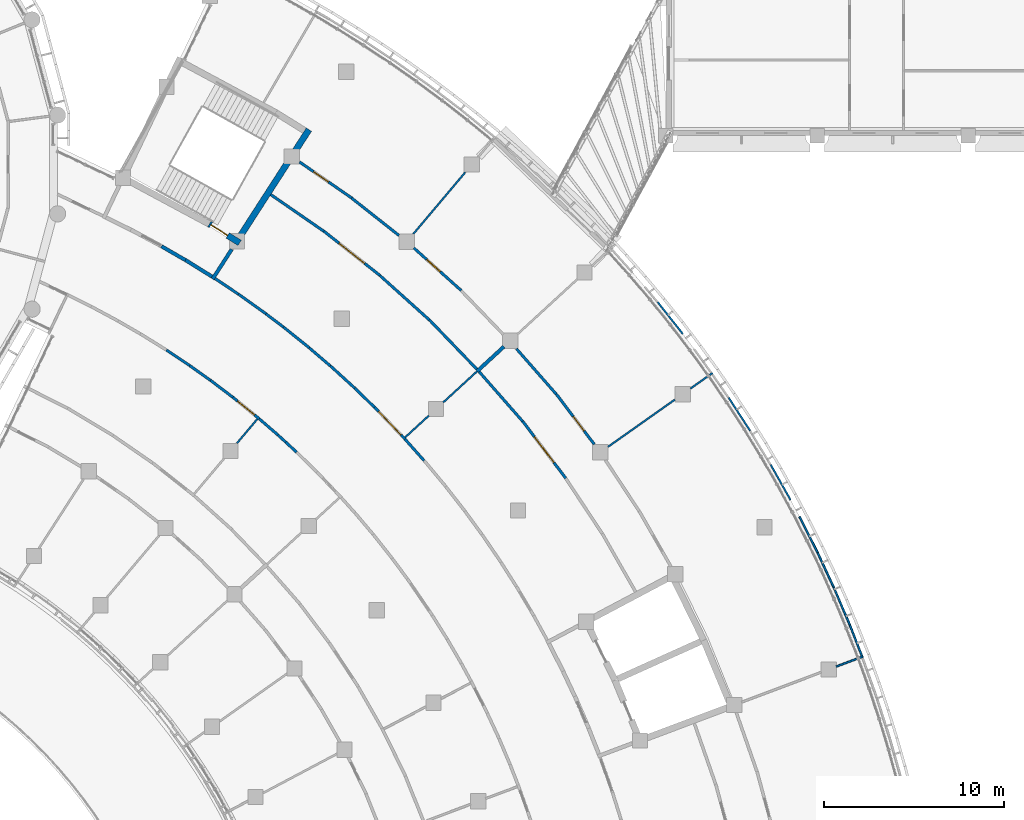
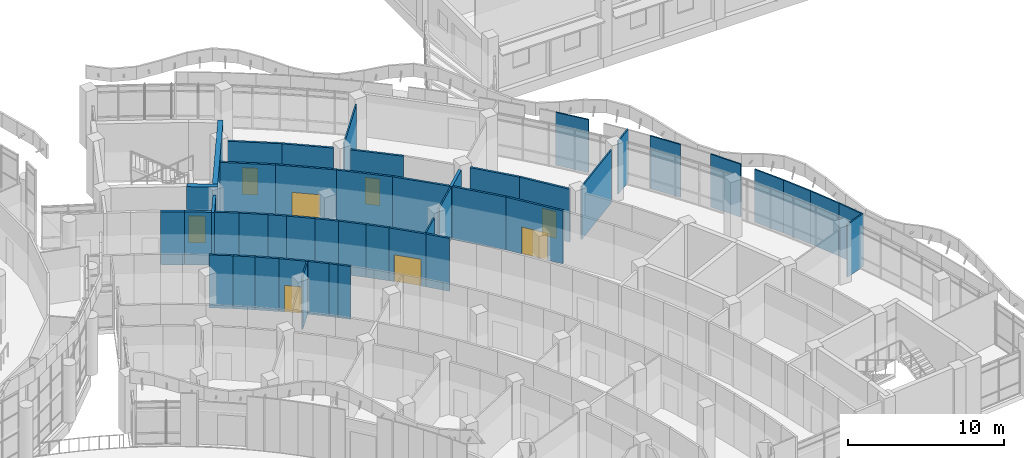
# One storey, part 79 of 136: 47 walls, 8 doors, 8 openings.
"""IFC4 building model written with IfcOpenShell, lengths in metres."""

from ifc_helpers import new_model, si_unit, direction, frame, frame_2d, origin, place, context, subcontext, project, spatial, rectangle, extrude, material, layer, layer_set, type_object, element, fill, save


model = new_model("IFC4")

# Units and contexts
model_context = context("Model", 3, precision=1e-05, world=origin(), true_north=direction((0.0, 1.0)))
body_context = subcontext(model_context, "Body", "Model", "MODEL_VIEW")
ifc_project = project(units=[si_unit("LENGTHUNIT", "METRE"), si_unit("AREAUNIT", "SQUARE_METRE"), si_unit("VOLUMEUNIT", "CUBIC_METRE"), si_unit("PLANEANGLEUNIT", "RADIAN"), si_unit("MASSUNIT", "GRAM", prefix="KILO")], contexts=[model_context])

# Site, building, storey
site_placement = place(None, origin())
site = spatial("IfcSite", under=ifc_project, at=site_placement, CompositionType="ELEMENT")
building_placement = place(site_placement, origin())
building = spatial("IfcBuilding", under=site, at=building_placement, Name="Bougainvillea Quay General Hospital", CompositionType="ELEMENT")
storey_placement = place(building_placement, frame((0.0, 0.0, 5.39990234375)))
storey = spatial("IfcBuildingStorey", under=building, at=storey_placement, Name="L01", CompositionType="ELEMENT", Elevation=5.39990234375)

# Walls
ifc_material_1 = material(Name="Gypsum board partition on steel studs", Category="steel")
ifc_layer_1 = layer(ifc_material_1, 0.10009765625)
ifc_layer_set_1 = layer_set([ifc_layer_1], Name="Gypsum board partition on steel studs")
wall_type_1 = type_object("IfcWallType", Name="Partition 100 Gypsum board partition", PredefinedType="PARTITIONING", material=ifc_layer_set_1)
wall_1_placement = place(storey_placement, frame((149.322998046875, 58.848388671875, 0.0), z_axis=(0.0, 0.0, 1.0), x_axis=(0.736546569723, 0.676386835051, 0.0)))
element("IfcWall", 1, at=wall_1_placement, inside=storey, type_object=wall_type_1, Name="Partition 100 mm", PredefinedType="PARTITIONING", context=body_context, shape_type="SweptSolid", body=[
    extrude(rectangle(XDim=1.78564453125, YDim=0.10009765625, at=frame_2d((0.892822265625, 0.0))), origin(), (0.0, 0.0, 1.0), 4.150146484375),
])
wall_2_placement = place(storey_placement, frame((151.4306640625, 60.783935546875, 0.0), z_axis=(0.0, 0.0, 1.0), x_axis=(0.736546419356, 0.676386998791, 0.0)))
element("IfcWall", 2, at=wall_2_placement, inside=storey, type_object=wall_type_1, Name="Partition 100 mm", PredefinedType="PARTITIONING", context=body_context, shape_type="SweptSolid", body=[
    extrude(rectangle(XDim=2.552734375, YDim=0.10009765625, at=frame_2d((1.2763671875, 0.0))), origin(), (0.0, 0.0, 1.0), 4.150146484375),
])
ifc_layer_2 = layer(ifc_material_1, 0.10009765625)
ifc_layer_set_2 = layer_set([ifc_layer_2], Name="Gypsum board partition on steel studs")
wall_type_2 = type_object("IfcWallType", Name="Partition 100 Gypsum board partition EI 30", PredefinedType="PARTITIONING", material=ifc_layer_set_2)
wall_3_placement = place(storey_placement, frame((173.25732421875, 46.113525390625, 0.0), z_axis=(0.0, 0.0, 1.0), x_axis=(0.93586999438, 0.35234550319, 0.0)))
element("IfcWall", 3, at=wall_3_placement, inside=storey, type_object=wall_type_2, Name="Partition 100 mm EI 30", PredefinedType="PARTITIONING", context=body_context, shape_type="SweptSolid", body=[
    extrude(rectangle(XDim=1.597900390625, YDim=0.10009765625, at=frame_2d((0.798828125, 0.0))), origin(), (0.0, 0.0, 1.0), 4.150146484375),
])
wall_4_placement = place(storey_placement, frame((149.775390625, 70.144287109375, 0.0), z_axis=(0.0, 0.0, 1.0), x_axis=(0.644456563642, 0.764640920681, 0.0)))
element("IfcWall", 4, at=wall_4_placement, inside=storey, type_object=wall_type_2, Name="Partition 100 mm EI 30", PredefinedType="PARTITIONING", context=body_context, shape_type="SweptSolid", body=[
    extrude(rectangle(XDim=4.47509765625, YDim=0.10009765625, at=frame_2d((2.237548828125, 0.0))), origin(), (0.0, 0.0, 1.0), 4.150146484375),
])
wall_5_placement = place(storey_placement, frame((160.585205078125, 58.318603515625, 0.0), z_axis=(0.0, 0.0, 1.0), x_axis=(0.816630246187, 0.577161191534, 0.0)))
element("IfcWall", 5, at=wall_5_placement, inside=storey, type_object=wall_type_2, Name="Partition 100 mm EI 30", PredefinedType="PARTITIONING", context=body_context, shape_type="SweptSolid", body=[
    extrude(rectangle(XDim=4.551025390625, YDim=0.10009765625, at=frame_2d((2.275390625, 0.0))), origin(), (0.0, 0.0, 1.0), 4.150146484375),
])
wall_6_placement = place(storey_placement, frame((165.158203125, 61.550537109375, 0.0), z_axis=(0.0, 0.0, 1.0), x_axis=(0.816659911288, 0.577119215842, 0.0)))
element("IfcWall", 6, at=wall_6_placement, inside=storey, type_object=wall_type_2, Name="Partition 100 mm EI 30", PredefinedType="PARTITIONING", context=body_context, shape_type="SweptSolid", body=[
    extrude(rectangle(XDim=1.5166015625, YDim=0.10009765625, at=frame_2d((0.75830078125, 0.0))), origin(), (0.0, 0.0, 1.0), 4.150146484375),
])
wall_7_placement = place(storey_placement, frame((139.98046875, 58.522216796875, 0.0), z_axis=(0.0, 0.0, 1.0), x_axis=(0.644495278204, 0.7646082895, 0.0)))
element("IfcWall", 7, at=wall_7_placement, inside=storey, type_object=wall_type_2, Name="Partition 100 mm EI 30", PredefinedType="PARTITIONING", context=body_context, shape_type="SweptSolid", body=[
    extrude(rectangle(XDim=1.756103515625, YDim=0.10009765625, at=frame_2d((0.8779296875, 0.0))), origin(), (0.0, 0.0, 1.0), 4.150146484375),
])
wall_8_placement = place(storey_placement, frame((169.62353515625, 57.32958984375, 0.0), z_axis=(0.0, 0.0, 1.0), x_axis=(0.490245804698, -0.871584219095, 0.0)))
element("IfcWall", 8, at=wall_8_placement, inside=storey, type_object=wall_type_2, Name="Partition 100 mm EI 30", PredefinedType="PARTITIONING", context=body_context, shape_type="SweptSolid", body=[
    extrude(rectangle(XDim=2.2529296875, YDim=0.10009765625, at=frame_2d((1.12646484375, 0.0))), origin(), (0.0, 0.0, 1.0), 4.150146484375),
])
wall_9_placement = place(storey_placement, frame((167.28271484375, 61.058837890625, 0.0), z_axis=(0.0, 0.0, 1.0), x_axis=(0.544248024884, -0.838924363342, 0.0)))
element("IfcWall", 9, at=wall_9_placement, inside=storey, type_object=wall_type_2, Name="Partition 100 mm EI 30", PredefinedType="PARTITIONING", context=body_context, shape_type="SweptSolid", body=[
    extrude(rectangle(XDim=2.202880859375, YDim=0.10009765625, at=frame_2d((1.1015625, 0.0))), origin(), (0.0, 0.0, 1.0), 4.150146484375),
])
wall_10_placement = place(storey_placement, frame((171.220947265625, 54.444091796875, 0.0), z_axis=(0.0, 0.0, 1.0), x_axis=(0.449727785834, -0.893165672565, 0.0)))
element("IfcWall", 10, at=wall_10_placement, inside=storey, type_object=wall_type_2, Name="Partition 100 mm EI 30", PredefinedType="PARTITIONING", context=body_context, shape_type="SweptSolid", body=[
    extrude(rectangle(XDim=2.251220703125, YDim=0.10009765625, at=frame_2d((1.12548828125, 0.0))), origin(), (0.0, 0.0, 1.0), 4.150146484375),
])
wall_11_placement = place(storey_placement, frame((163.344970703125, 66.357177734375, 0.0), z_axis=(0.0, 0.0, 1.0), x_axis=(0.621064038845, -0.783759822684, 0.0)))
element("IfcWall", 11, at=wall_11_placement, inside=storey, type_object=wall_type_2, Name="Partition 100 mm EI 30", PredefinedType="PARTITIONING", context=body_context, shape_type="SweptSolid", body=[
    extrude(rectangle(XDim=2.2509765625, YDim=0.10009765625, at=frame_2d((1.12548828125, 0.0))), origin(), (0.0, 0.0, 1.0), 4.150146484375),
])
wall_12_placement = place(storey_placement, frame((173.118408203125, 50.529052734375, 0.0), z_axis=(0.0, 0.0, 1.0), x_axis=(0.392535641105, -0.919736794122, 0.0)))
element("IfcWall", 12, at=wall_12_placement, inside=storey, type_object=wall_type_2, Name="Partition 100 mm EI 30", PredefinedType="PARTITIONING", context=body_context, shape_type="SweptSolid", body=[
    extrude(rectangle(XDim=2.300537109375, YDim=0.10009765625, at=frame_2d((1.150390625, 0.0))), origin(), (0.0, 0.0, 1.0), 4.150146484375),
])
wall_13_placement = place(storey_placement, frame((172.2314453125, 52.43408203125, 0.0), z_axis=(0.0, 0.0, 1.0), x_axis=(0.42144215668, -0.906855285353, 0.0)))
element("IfcWall", 13, at=wall_13_placement, inside=storey, type_object=wall_type_2, Name="Partition 100 mm EI 30", PredefinedType="PARTITIONING", context=body_context, shape_type="SweptSolid", body=[
    extrude(rectangle(XDim=2.102783203125, YDim=0.10009765625, at=frame_2d((1.05126953125, 0.0))), origin(), (0.0, 0.0, 1.0), 4.150146484375),
])
wall_14_placement = place(storey_placement, frame((174.019775390625, 48.413818359375, 0.0), z_axis=(0.0, 0.0, 1.0), x_axis=(0.364148326517, -0.931340966722, 0.0)))
element("IfcWall", 14, at=wall_14_placement, inside=storey, type_object=wall_type_2, Name="Partition 100 mm EI 30", PredefinedType="PARTITIONING", context=body_context, shape_type="SweptSolid", body=[
    extrude(rectangle(XDim=1.833740234375, YDim=0.10009765625, at=frame_2d((0.9169921875, 0.0))), origin(), (0.0, 0.0, 1.0), 4.150146484375),
])

# Wall, opening, door
ifc_material_2 = material(Name="Gypsum board partition on steel studs, insulated", Category="steel")
ifc_layer_3 = layer(ifc_material_2, 0.14990234375)
ifc_layer_set_3 = layer_set([ifc_layer_3], Name="Gypsum board partition on steel studs, insulated")
wall_type_3 = type_object("IfcWallType", Name="Partition 150 Gypsum board partition EI 30", PredefinedType="PARTITIONING", material=ifc_layer_set_3)
wall_15_placement = place(storey_placement, frame((149.79736328125, 69.36865234375, 0.0), z_axis=(0.0, 0.0, 1.0), x_axis=(0.743767308426, -0.668438621652, 0.0)))
wall_15 = element("IfcWall", 15, at=wall_15_placement, inside=storey, type_object=wall_type_3, Name="Partition 150 mm EI 30", PredefinedType="PARTITIONING", context=body_context, shape_type="SweptSolid", body=[
    extrude(rectangle(XDim=3.5390625, YDim=0.14990234375, at=frame_2d((1.76953125, 0.0))), origin(), (0.0, 0.0, 1.0), 4.150146484375),
])
opening_1_placement = place(wall_15_placement, frame((0.973876953125, 0.0, 0.0)))
opening_1 = element("IfcOpeningElement", 16, at=opening_1_placement, cuts=wall_15, Name="Opening L01.270", PredefinedType="OPENING", context=body_context, shape_type="SweptSolid", body=[
    extrude(rectangle(XDim=1.0, YDim=2.10009765625, at=frame_2d((0.5, 1.050048828125))), frame((0.0, 0.0849609375, 0.0), z_axis=(0.0, -1.0, 0.0), x_axis=(1.0, 0.0, 0.0)), (0.0, 0.0, 1.0), 0.169921875),
])
ifc_material_3 = material(Name="Solid-core timber door leaf in steel frame", Category="steel")
door_type_1 = type_object("IfcDoorType", Name="Single leaf door 1000x2100 FD30S", OperationType="NOTDEFINED", PredefinedType="DOOR", material=ifc_material_3)
door_1_placement = place(opening_1_placement, origin())
door_1 = element("IfcDoor", 17, at=door_1_placement, inside=storey, type_object=door_type_1, Name="DT15 L01.270", OperationType="SINGLE_SWING_LEFT", OverallHeight=2.10009765625, OverallWidth=1.0, PredefinedType="DOOR", context=body_context, shape_type="SweptSolid", body=[
    extrude(rectangle(XDim=1.0, YDim=2.10009765625, at=frame_2d((0.5, 1.050048828125))), frame((0.0, 0.02490234375, 0.0), z_axis=(0.0, -1.0, 0.0), x_axis=(1.0, 0.0, 0.0)), (0.0, 0.0, 1.0), 0.050048828125),
])
fill(opening_1, door_1)

wall_16_placement = place(storey_placement, frame((157.7119140625, 61.251708984375, 0.0), z_axis=(0.0, 0.0, 1.0), x_axis=(0.602876520925, -0.797834506974, 0.0)))
wall_16 = element("IfcWall", 18, at=wall_16_placement, inside=storey, type_object=wall_type_3, Name="Partition 150 mm EI 30", PredefinedType="PARTITIONING", context=body_context, shape_type="SweptSolid", body=[
    extrude(rectangle(XDim=3.498779296875, YDim=0.14990234375, at=frame_2d((1.74951171875, 0.0))), origin(), (0.0, 0.0, 1.0), 4.150146484375),
])
opening_2_placement = place(wall_16_placement, frame((1.5654296875, 0.0, 0.0)))
opening_2 = element("IfcOpeningElement", 19, at=opening_2_placement, cuts=wall_16, Name="Opening L01.271", PredefinedType="OPENING", context=body_context, shape_type="SweptSolid", body=[
    extrude(rectangle(XDim=1.0, YDim=2.10009765625, at=frame_2d((0.5, 1.050048828125))), frame((0.0, 0.0849609375, 0.0), z_axis=(0.0, -1.0, 0.0), x_axis=(1.0, 0.0, 0.0)), (0.0, 0.0, 1.0), 0.169921875),
])
door_2_placement = place(opening_2_placement, origin())
door_2 = element("IfcDoor", 20, at=door_2_placement, inside=storey, type_object=door_type_1, Name="DT15 L01.271", OperationType="SINGLE_SWING_RIGHT", OverallHeight=2.10009765625, OverallWidth=1.0, PredefinedType="DOOR", context=body_context, shape_type="SweptSolid", body=[
    extrude(rectangle(XDim=1.0, YDim=2.10009765625, at=frame_2d((0.5, 1.050048828125))), frame((0.0, 0.02490234375, 0.0), z_axis=(0.0, -1.0, 0.0), x_axis=(1.0, 0.0, 0.0)), (0.0, 0.0, 1.0), 0.050048828125),
])
fill(opening_2, door_2)

wall_17_placement = place(storey_placement, frame((143.455810546875, 74.138671875, 0.0), z_axis=(0.0, 0.0, 1.0), x_axis=(0.822701427784, -0.568473711549, 0.0)))
wall_17 = element("IfcWall", 21, at=wall_17_placement, inside=storey, type_object=wall_type_3, Name="Partition 150 mm EI 30", PredefinedType="PARTITIONING", context=body_context, shape_type="SweptSolid", body=[
    extrude(rectangle(XDim=3.5185546875, YDim=0.14990234375, at=frame_2d((1.75927734375, 0.0))), origin(), (0.0, 0.0, 1.0), 4.150146484375),
])
opening_3_placement = place(wall_17_placement, frame((0.953369140625, 0.0, 0.0)))
opening_3 = element("IfcOpeningElement", 22, at=opening_3_placement, cuts=wall_17, Name="Opening L01.269", PredefinedType="OPENING", context=body_context, shape_type="SweptSolid", body=[
    extrude(rectangle(XDim=1.0, YDim=2.10009765625, at=frame_2d((0.5, 1.050048828125))), frame((0.0, 0.0849609375, 0.0), z_axis=(0.0, -1.0, 0.0), x_axis=(1.0, 0.0, 0.0)), (0.0, 0.0, 1.0), 0.169921875),
])
door_3_placement = place(opening_3_placement, origin())
door_3 = element("IfcDoor", 23, at=door_3_placement, inside=storey, type_object=door_type_1, Name="DT15 L01.269", OperationType="SINGLE_SWING_LEFT", OverallHeight=2.10009765625, OverallWidth=1.0, PredefinedType="DOOR", context=body_context, shape_type="SweptSolid", body=[
    extrude(rectangle(XDim=1.0, YDim=2.10009765625, at=frame_2d((0.5, 1.050048828125))), frame((0.0, 0.02490234375, 0.0), z_axis=(0.0, -1.0, 0.0), x_axis=(1.0, 0.0, 0.0)), (0.0, 0.0, 1.0), 0.050048828125),
])
fill(opening_3, door_3)

# Walls
wall_18_placement = place(storey_placement, frame((146.34423828125, 72.13720703125, 0.0), z_axis=(0.0, 0.0, 1.0), x_axis=(0.784832511111, -0.619707938874, 0.0)))
element("IfcWall", 24, at=wall_18_placement, inside=storey, type_object=wall_type_3, Name="Partition 150 mm EI 30", PredefinedType="PARTITIONING", context=body_context, shape_type="SweptSolid", body=[
    extrude(rectangle(XDim=3.357666015625, YDim=0.14990234375, at=frame_2d((1.6787109375, 0.0))), origin(), (0.0, 0.0, 1.0), 4.150146484375),
])
wall_19_placement = place(storey_placement, frame((155.503662109375, 63.76220703125, 0.0), z_axis=(0.0, 0.0, 1.0), x_axis=(0.659211514152, -0.751957565032, 0.0)))
element("IfcWall", 25, at=wall_19_placement, inside=storey, type_object=wall_type_3, Name="Partition 150 mm EI 30", PredefinedType="PARTITIONING", context=body_context, shape_type="SweptSolid", body=[
    extrude(rectangle(XDim=3.348388671875, YDim=0.14990234375, at=frame_2d((1.67431640625, 0.0))), origin(), (0.0, 0.0, 1.0), 4.150146484375),
])

# Wall, opening, door
wall_20_placement = place(storey_placement, frame((144.802978515625, 70.297607421875, 0.0), z_axis=(0.0, 0.0, 1.0), x_axis=(0.784917321289, -0.619600515445, 0.0)))
wall_20 = element("IfcWall", 26, at=wall_20_placement, inside=storey, type_object=wall_type_3, Name="Partition 150 mm EI 30", PredefinedType="PARTITIONING", context=body_context, shape_type="SweptSolid", body=[
    extrude(rectangle(XDim=3.978515625, YDim=0.14990234375, at=frame_2d((1.9892578125, 0.0))), origin(), (0.0, 0.0, 1.0), 4.150146484375),
])
opening_4_placement = place(wall_20_placement, frame((1.089111328125, 0.0, 0.0)))
opening_4 = element("IfcOpeningElement", 27, at=opening_4_placement, cuts=wall_20, Name="Opening L01.229", PredefinedType="OPENING", context=body_context, shape_type="SweptSolid", body=[
    extrude(rectangle(XDim=1.800048828125, YDim=2.10009765625, at=frame_2d((0.89990234375, 1.050048828125))), frame((0.0, 0.0849609375, 0.0), z_axis=(0.0, -1.0, 0.0), x_axis=(1.0, 0.0, 0.0)), (0.0, 0.0, 1.0), 0.169921875),
])
ifc_material_4 = material(Name="Solid-core timber door leaves in steel frame", Category="steel")
door_type_2 = type_object("IfcDoorType", Name="Double leaf door 1800x2100", OperationType="DOUBLE_DOOR_SINGLE_SWING", PredefinedType="DOOR", material=ifc_material_4)
door_4_placement = place(opening_4_placement, origin())
door_4 = element("IfcDoor", 28, at=door_4_placement, inside=storey, type_object=door_type_2, Name="DT08 L01.229", OperationType="DOUBLE_DOOR_SINGLE_SWING", OverallHeight=2.10009765625, OverallWidth=1.800048828125, PredefinedType="DOOR", context=body_context, shape_type="SweptSolid", body=[
    extrude(rectangle(XDim=1.800048828125, YDim=2.10009765625, at=frame_2d((0.89990234375, 1.050048828125))), frame((0.0, 0.02490234375, 0.0), z_axis=(0.0, -1.0, 0.0), x_axis=(1.0, 0.0, 0.0)), (0.0, 0.0, 1.0), 0.050048828125),
])
fill(opening_4, door_4)

wall_21_placement = place(storey_placement, frame((155.84375, 59.743896484375, 0.0), z_axis=(0.0, 0.0, 1.0), x_axis=(0.602932061418, -0.797792535258, 0.0)))
wall_21 = element("IfcWall", 29, at=wall_21_placement, inside=storey, type_object=wall_type_3, Name="Partition 150 mm EI 30", PredefinedType="PARTITIONING", context=body_context, shape_type="SweptSolid", body=[
    extrude(rectangle(XDim=3.97802734375, YDim=0.14990234375, at=frame_2d((1.989013671875, 0.0))), origin(), (0.0, 0.0, 1.0), 4.150146484375),
])
opening_5_placement = place(wall_21_placement, frame((1.089111328125, 0.0, 0.0)))
opening_5 = element("IfcOpeningElement", 30, at=opening_5_placement, cuts=wall_21, Name="Opening L01.230", PredefinedType="OPENING", context=body_context, shape_type="SweptSolid", body=[
    extrude(rectangle(XDim=1.800048828125, YDim=2.10009765625, at=frame_2d((0.89990234375, 1.050048828125))), frame((0.0, 0.0849609375, 0.0), z_axis=(0.0, -1.0, 0.0), x_axis=(1.0, 0.0, 0.0)), (0.0, 0.0, 1.0), 0.169921875),
])
door_5_placement = place(opening_5_placement, origin())
door_5 = element("IfcDoor", 31, at=door_5_placement, inside=storey, type_object=door_type_2, Name="DT08 L01.230", OperationType="DOUBLE_DOOR_SINGLE_SWING", OverallHeight=2.10009765625, OverallWidth=1.800048828125, PredefinedType="DOOR", context=body_context, shape_type="SweptSolid", body=[
    extrude(rectangle(XDim=1.800048828125, YDim=2.10009765625, at=frame_2d((0.89990234375, 1.050048828125))), frame((0.0, 0.02490234375, 0.0), z_axis=(0.0, -1.0, 0.0), x_axis=(1.0, 0.0, 0.0)), (0.0, 0.0, 1.0), 0.050048828125),
])
fill(opening_5, door_5)

# Walls
wall_22_placement = place(storey_placement, frame((141.85888671875, 72.326171875, 0.0), z_axis=(0.0, 0.0, 1.0), x_axis=(0.822680463987, -0.568504049391, 0.0)))
element("IfcWall", 32, at=wall_22_placement, inside=storey, type_object=wall_type_3, Name="Partition 150 mm EI 30", PredefinedType="PARTITIONING", context=body_context, shape_type="SweptSolid", body=[
    extrude(rectangle(XDim=3.579833984375, YDim=0.14990234375, at=frame_2d((1.7900390625, 0.0))), origin(), (0.0, 0.0, 1.0), 4.150146484375),
])
wall_23_placement = place(storey_placement, frame((150.660888671875, 65.3740234375, 0.0), z_axis=(0.0, 0.0, 1.0), x_axis=(0.693403633232, -0.720549374728, 0.0)))
element("IfcWall", 33, at=wall_23_placement, inside=storey, type_object=wall_type_3, Name="Partition 150 mm EI 30", PredefinedType="PARTITIONING", context=body_context, shape_type="SweptSolid", body=[
    extrude(rectangle(XDim=3.804443359375, YDim=0.14990234375, at=frame_2d((1.90234375, 0.0))), origin(), (0.0, 0.0, 1.0), 4.150146484375),
])
wall_24_placement = place(storey_placement, frame((147.91943359375, 67.831787109375, 0.0), z_axis=(0.0, 0.0, 1.0), x_axis=(0.743593711798, -0.668631731056, 0.0)))
element("IfcWall", 34, at=wall_24_placement, inside=storey, type_object=wall_type_3, Name="Partition 150 mm EI 30", PredefinedType="PARTITIONING", context=body_context, shape_type="SweptSolid", body=[
    extrude(rectangle(XDim=3.686767578125, YDim=0.14990234375, at=frame_2d((1.84326171875, 0.0))), origin(), (0.0, 0.0, 1.0), 4.150146484375),
])
wall_25_placement = place(storey_placement, frame((153.431884765625, 62.488037109375, 0.0), z_axis=(0.0, 0.0, 1.0), x_axis=(0.659061919253, -0.752088682663, 0.0)))
element("IfcWall", 35, at=wall_25_placement, inside=storey, type_object=wall_type_3, Name="Partition 150 mm EI 30", PredefinedType="PARTITIONING", context=body_context, shape_type="SweptSolid", body=[
    extrude(rectangle(XDim=3.658447265625, YDim=0.14990234375, at=frame_2d((1.8291015625, 0.0))), origin(), (0.0, 0.0, 1.0), 4.150146484375),
])

# Wall, opening, door
wall_26_placement = place(storey_placement, frame((147.614990234375, 60.521240234375, 0.0), z_axis=(0.0, 0.0, 1.0), x_axis=(0.691827849504, -0.722062481127, 0.0)))
wall_26 = element("IfcWall", 36, at=wall_26_placement, inside=storey, type_object=wall_type_3, Name="Partition 150 mm EI 30", PredefinedType="PARTITIONING", context=body_context, shape_type="SweptSolid", body=[
    extrude(rectangle(XDim=2.462890625, YDim=0.14990234375, at=frame_2d((1.2314453125, 0.0))), origin(), (0.0, 0.0, 1.0), 4.150146484375),
])
opening_6_placement = place(wall_26_placement, frame((0.331298828125, 0.0, 0.0)))
opening_6 = element("IfcOpeningElement", 37, at=opening_6_placement, cuts=wall_26, Name="Opening L01.243", PredefinedType="OPENING", context=body_context, shape_type="SweptSolid", body=[
    extrude(rectangle(XDim=1.800048828125, YDim=2.10009765625, at=frame_2d((0.89990234375, 1.050048828125))), frame((0.0, 0.0849609375, 0.0), z_axis=(0.0, -1.0, 0.0), x_axis=(1.0, 0.0, 0.0)), (0.0, 0.0, 1.0), 0.169921875),
])
door_6_placement = place(opening_6_placement, frame((1.800048828125, 0.0, 0.0), z_axis=(0.0, 0.0, 1.0), x_axis=(-1.0, 0.0, 0.0)))
door_6 = element("IfcDoor", 38, at=door_6_placement, inside=storey, type_object=door_type_2, Name="DT08 L01.243", OperationType="DOUBLE_DOOR_SINGLE_SWING", OverallHeight=2.10009765625, OverallWidth=1.800048828125, PredefinedType="DOOR", context=body_context, shape_type="SweptSolid", body=[
    extrude(rectangle(XDim=1.800048828125, YDim=2.10009765625, at=frame_2d((0.89990234375, 1.050048828125))), frame((0.0, 0.02490234375, 0.0), z_axis=(0.0, -1.0, 0.0), x_axis=(1.0, 0.0, 0.0)), (0.0, 0.0, 1.0), 0.050048828125),
])
fill(opening_6, door_6)

wall_27_placement = place(storey_placement, frame((139.75, 61.074462890625, 0.0), z_axis=(0.0, 0.0, 1.0), x_axis=(0.774713973469, -0.63231183708, 0.0)))
wall_27 = element("IfcWall", 39, at=wall_27_placement, inside=storey, type_object=wall_type_3, Name="Partition 150 mm EI 30", PredefinedType="PARTITIONING", context=body_context, shape_type="SweptSolid", body=[
    extrude(rectangle(XDim=1.896240234375, YDim=0.14990234375, at=frame_2d((0.9482421875, 0.0))), origin(), (0.0, 0.0, 1.0), 4.150146484375),
])
opening_7_placement = place(wall_27_placement, frame((0.34814453125, 0.0, 0.0)))
opening_7 = element("IfcOpeningElement", 40, at=opening_7_placement, cuts=wall_27, Name="Opening L01.246", PredefinedType="OPENING", context=body_context, shape_type="SweptSolid", body=[
    extrude(rectangle(XDim=1.199951171875, YDim=2.10009765625, at=frame_2d((0.60009765625, 1.050048828125))), frame((0.0, 0.0849609375, 0.0), z_axis=(0.0, -1.0, 0.0), x_axis=(1.0, 0.0, 0.0)), (0.0, 0.0, 1.0), 0.169921875),
])
door_type_3 = type_object("IfcDoorType", Name="Single leaf door 1200x2100", OperationType="NOTDEFINED", PredefinedType="DOOR", material=ifc_material_3)
door_7_placement = place(opening_7_placement, origin())
door_7 = element("IfcDoor", 41, at=door_7_placement, inside=storey, type_object=door_type_3, Name="DT13 L01.246", OperationType="SINGLE_SWING_RIGHT", OverallHeight=2.10009765625, OverallWidth=1.199951171875, PredefinedType="DOOR", context=body_context, shape_type="SweptSolid", body=[
    extrude(rectangle(XDim=1.199951171875, YDim=2.10009765625, at=frame_2d((0.60009765625, 1.050048828125))), frame((0.0, 0.02490234375, 0.0), z_axis=(0.0, -1.0, 0.0), x_axis=(1.0, 0.0, 0.0)), (0.0, 0.0, 1.0), 0.050048828125),
])
fill(opening_7, door_7)

# Walls
wall_28_placement = place(storey_placement, frame((140.06103515625, 66.800537109375, 0.0), z_axis=(0.0, 0.0, 1.0), x_axis=(0.81360220793, -0.581421918448, 0.0)))
element("IfcWall", 42, at=wall_28_placement, inside=storey, type_object=wall_type_3, Name="Partition 150 mm EI 30", PredefinedType="PARTITIONING", context=body_context, shape_type="SweptSolid", body=[
    extrude(rectangle(XDim=1.88525390625, YDim=0.14990234375, at=frame_2d((0.942626953125, 0.0))), origin(), (0.0, 0.0, 1.0), 4.150146484375),
])
wall_29_placement = place(storey_placement, frame((149.31494140625, 58.742919921875, 0.0), z_axis=(0.0, 0.0, 1.0), x_axis=(0.664440066627, -0.747341553683, 0.0)))
element("IfcWall", 43, at=wall_29_placement, inside=storey, type_object=wall_type_3, Name="Partition 150 mm EI 30", PredefinedType="PARTITIONING", context=body_context, shape_type="SweptSolid", body=[
    extrude(rectangle(XDim=1.59033203125, YDim=0.14990234375, at=frame_2d((0.795166015625, 0.0))), origin(), (0.0, 0.0, 1.0), 4.150146484375),
])
wall_30_placement = place(storey_placement, frame((138.76416015625, 67.6640625, 0.0), z_axis=(0.0, 0.0, 1.0), x_axis=(0.831520299658, -0.555494366539, 0.0)))
element("IfcWall", 44, at=wall_30_placement, inside=storey, type_object=wall_type_3, Name="Partition 150 mm EI 30", PredefinedType="PARTITIONING", context=body_context, shape_type="SweptSolid", body=[
    extrude(rectangle(XDim=1.560302734375, YDim=0.14990234375, at=frame_2d((0.7802734375, 0.0))), origin(), (0.0, 0.0, 1.0), 4.150146484375),
])
for number, where, z_axis, x_axis, name in (
    (45, (142.565673828125, 64.968017578125, 0.0), (0.0, 0.0, 1.0), (0.779281308286, -0.626674271496, 0.0), "Partition 150 mm EI 30"),
    (46, (145.15869140625, 62.822509765625, 0.0), (0.0, 0.0, 1.0), (0.738981194843, -0.67372605239, 0.0), "Partition 150 mm EI 30"),
):
    element("IfcWall", number, at=place(storey_placement, frame(where, z_axis=z_axis, x_axis=x_axis)), inside=storey, type_object=wall_type_3, Name=name, PredefinedType="PARTITIONING", context=body_context, shape_type="SweptSolid", body=[
        extrude(rectangle(XDim=1.833251953125, YDim=0.14990234375, at=frame_2d((0.91650390625, 0.0))), origin(), (0.0, 0.0, 1.0), 4.150146484375),
    ])
wall_31_placement = place(storey_placement, frame((146.51025390625, 61.58740234375, 0.0), z_axis=(0.0, 0.0, 1.0), x_axis=(0.718287322607, -0.695746593367, 0.0)))
element("IfcWall", 47, at=wall_31_placement, inside=storey, type_object=wall_type_3, Name="Partition 150 mm EI 30", PredefinedType="PARTITIONING", context=body_context, shape_type="SweptSolid", body=[
    extrude(rectangle(XDim=1.5380859375, YDim=0.14990234375, at=frame_2d((0.76904296875, 0.0))), origin(), (0.0, 0.0, 1.0), 4.150146484375),
])
wall_32_placement = place(storey_placement, frame((143.9912109375, 63.818603515625, 0.0), z_axis=(0.0, 0.0, 1.0), x_axis=(0.75971620126, -0.65025479125, 0.0)))
element("IfcWall", 48, at=wall_32_placement, inside=storey, type_object=wall_type_3, Name="Partition 150 mm EI 30", PredefinedType="PARTITIONING", context=body_context, shape_type="SweptSolid", body=[
    extrude(rectangle(XDim=1.53662109375, YDim=0.14990234375, at=frame_2d((0.768310546875, 0.0))), origin(), (0.0, 0.0, 1.0), 4.150146484375),
])
wall_33_placement = place(storey_placement, frame((138.50634765625, 62.015380859375, 0.0), z_axis=(0.0, 0.0, 1.0), x_axis=(0.7964030968, -0.604766159278, 0.0)))
element("IfcWall", 49, at=wall_33_placement, inside=storey, type_object=wall_type_3, Name="Partition 150 mm EI 30", PredefinedType="PARTITIONING", context=body_context, shape_type="SweptSolid", body=[
    extrude(rectangle(XDim=1.56201171875, YDim=0.14990234375, at=frame_2d((0.781005859375, 0.0))), origin(), (0.0, 0.0, 1.0), 4.150146484375),
])
wall_34_placement = place(storey_placement, frame((136.05859375, 63.69580078125, 0.0), z_axis=(0.0, 0.0, 1.0), x_axis=(0.832723443957, -0.553689141925, 0.0)))
element("IfcWall", 50, at=wall_34_placement, inside=storey, type_object=wall_type_3, Name="Partition 150 mm EI 30", PredefinedType="PARTITIONING", context=body_context, shape_type="SweptSolid", body=[
    extrude(rectangle(XDim=1.560791015625, YDim=0.14990234375, at=frame_2d((0.7802734375, 0.0))), origin(), (0.0, 0.0, 1.0), 4.150146484375),
])
wall_35_placement = place(storey_placement, frame((137.355224609375, 62.830810546875, 0.0), z_axis=(0.0, 0.0, 1.0), x_axis=(0.815004293048, -0.579454918276, 0.0)))
element("IfcWall", 51, at=wall_35_placement, inside=storey, type_object=wall_type_3, Name="Partition 150 mm EI 30", PredefinedType="PARTITIONING", context=body_context, shape_type="SweptSolid", body=[
    extrude(rectangle(XDim=1.41259765625, YDim=0.14990234375, at=frame_2d((0.706298828125, 0.0))), origin(), (0.0, 0.0, 1.0), 4.150146484375),
])
wall_36_placement = place(storey_placement, frame((141.21630859375, 59.875244140625, 0.0), z_axis=(0.0, 0.0, 1.0), x_axis=(0.7566031668, -0.653874336542, 0.0)))
element("IfcWall", 52, at=wall_36_placement, inside=storey, type_object=wall_type_3, Name="Partition 150 mm EI 30", PredefinedType="PARTITIONING", context=body_context, shape_type="SweptSolid", body=[
    extrude(rectangle(XDim=1.37353515625, YDim=0.14990234375, at=frame_2d((0.686767578125, 0.0))), origin(), (0.0, 0.0, 1.0), 4.150146484375),
])
wall_37_placement = place(storey_placement, frame((141.592041015625, 65.703857421875, 0.0), z_axis=(0.0, 0.0, 1.0), x_axis=(0.79670453549, -0.604368995837, 0.0)))
element("IfcWall", 53, at=wall_37_placement, inside=storey, type_object=wall_type_3, Name="Partition 150 mm EI 30", PredefinedType="PARTITIONING", context=body_context, shape_type="SweptSolid", body=[
    extrude(rectangle(XDim=1.222412109375, YDim=0.14990234375, at=frame_2d((0.611328125, 0.0))), origin(), (0.0, 0.0, 1.0), 4.150146484375),
])
wall_38_placement = place(storey_placement, frame((142.68603515625, 58.5830078125, 0.0), z_axis=(0.0, 0.0, 1.0), x_axis=(0.732730451649, -0.680518982268, 0.0)))
element("IfcWall", 54, at=wall_38_placement, inside=storey, type_object=wall_type_3, Name="Partition 150 mm EI 30", PredefinedType="PARTITIONING", context=body_context, shape_type="SweptSolid", body=[
    extrude(rectangle(XDim=0.82763671875, YDim=0.14990234375, at=frame_2d((0.413818359375, 0.0))), origin(), (0.0, 0.0, 1.0), 4.150146484375),
])
wall_39_placement = place(storey_placement, frame((142.2529296875, 58.976806640625, 0.0), z_axis=(0.0, 0.0, 1.0), x_axis=(0.739127036188, -0.673566050492, 0.0)))
element("IfcWall", 55, at=wall_39_placement, inside=storey, type_object=wall_type_3, Name="Partition 150 mm EI 30", PredefinedType="PARTITIONING", context=body_context, shape_type="SweptSolid", body=[
    extrude(rectangle(XDim=0.584716796875, YDim=0.14990234375, at=frame_2d((0.29248046875, 0.0))), origin(), (0.0, 0.0, 1.0), 4.150146484375),
])
ifc_material_5 = material(Name="Fire-rated autoclaved aerated block wall, plastered")
ifc_layer_4 = layer(ifc_material_5, 0.199951171875)
ifc_layer_set_4 = layer_set([ifc_layer_4], Name="Fire-rated autoclaved aerated block wall, plastered")
wall_type_4 = type_object("IfcWallType", Name="Partition 200 Fire-rated autoclaved aerated block wall EI 120", PredefinedType="SOLIDWALL", material=ifc_layer_set_4)
wall_40_placement = place(storey_placement, frame((138.624755859375, 67.636962890625, 0.0), z_axis=(0.0, 0.0, 1.0), x_axis=(0.541789312023, 0.840514331453, 0.0)))
element("IfcWall", 56, at=wall_40_placement, inside=storey, type_object=wall_type_4, Name="Partition 200 mm EI 120", PredefinedType="SOLIDWALL", context=body_context, shape_type="SweptSolid", body=[
    extrude(rectangle(XDim=1.960693359375, YDim=0.199951171875, at=frame_2d((0.98046875, 0.0))), origin(), (0.0, 0.0, 1.0), 4.150146484375),
])
wall_41_placement = place(storey_placement, frame((153.311767578125, 62.51123046875, 0.0), z_axis=(0.0, 0.0, 1.0), x_axis=(0.736286893473, 0.676669498722, 0.0)))
element("IfcWall", 57, at=wall_41_placement, inside=storey, type_object=wall_type_4, Name="Partition 200 mm EI 120", PredefinedType="SOLIDWALL", context=body_context, shape_type="SweptSolid", body=[
    extrude(rectangle(XDim=2.02294921875, YDim=0.199951171875, at=frame_2d((1.011474609375, 0.0))), origin(), (0.0, 0.0, 1.0), 4.150146484375),
])
wall_42_placement = place(storey_placement, frame((137.1201171875, 68.69091796875, 0.0), z_axis=(0.0, 0.0, 1.0), x_axis=(0.849072037542, -0.528277081714, 0.0)))
element("IfcWall", 58, at=wall_42_placement, inside=storey, type_object=wall_type_4, Name="Partition 200 mm EI 120", PredefinedType="SOLIDWALL", context=body_context, shape_type="SweptSolid", body=[
    extrude(rectangle(XDim=1.734375, YDim=0.199951171875, at=frame_2d((0.8671875, 0.0))), origin(), (0.0, 0.0, 1.0), 4.150146484375),
])
wall_43_placement = place(storey_placement, frame((135.786865234375, 69.45849609375, 0.0), z_axis=(0.0, 0.0, 1.0), x_axis=(0.865559992514, -0.50080525093, 0.0)))
element("IfcWall", 59, at=wall_43_placement, inside=storey, type_object=wall_type_4, Name="Partition 200 mm EI 120", PredefinedType="SOLIDWALL", context=body_context, shape_type="SweptSolid", body=[
    extrude(rectangle(XDim=1.54150390625, YDim=0.199951171875, at=frame_2d((0.770751953125, 0.0))), origin(), (0.0, 0.0, 1.0), 4.150146484375),
])

# Wall, opening, door
ifc_material_6 = material(Name="Concrete C40", Category="concrete")
ifc_layer_5 = layer(ifc_material_6, 0.35009765625)
ifc_layer_set_5 = layer_set([ifc_layer_5], Name="Concrete C40")
wall_type_5 = type_object("IfcWallType", Name="RC SHEAR WALL 350 C40", PredefinedType="SHEAR", material=ifc_layer_set_5)
wall_44_placement = place(storey_placement, frame((138.44580078125, 70.692138671875, 0.0), z_axis=(0.0, 0.0, 1.0), x_axis=(0.849028347245, -0.528347296363, 0.0)))
wall_44 = element("IfcWall", 60, at=wall_44_placement, inside=storey, type_object=wall_type_5, Name="Shear wall L01", PredefinedType="SHEAR", context=body_context, shape_type="SweptSolid", body=[
    extrude(rectangle(XDim=1.98095703125, YDim=0.35009765625, at=frame_2d((0.990478515625, 0.0))), origin(), (0.0, 0.0, 1.0), 4.5),
])
opening_8_placement = place(wall_44_placement, frame((0.10009765625, 0.0, 0.0)))
opening_8 = element("IfcOpeningElement", 61, at=opening_8_placement, cuts=wall_44, Name="Opening L01.317", PredefinedType="OPENING", context=body_context, shape_type="SweptSolid", body=[
    extrude(rectangle(XDim=1.10009765625, YDim=2.10009765625, at=frame_2d((0.550048828125, 1.050048828125))), frame((0.0, 0.18505859375, 0.0), z_axis=(0.0, -1.0, 0.0), x_axis=(1.0, 0.0, 0.0)), (0.0, 0.0, 1.0), 0.3701171875),
])
ifc_material_7 = material(Name="Steel fire door leaf in steel frame", Category="steel")
door_type_4 = type_object("IfcDoorType", Name="Steel single leaf door 1100x2100 FD60", OperationType="NOTDEFINED", PredefinedType="DOOR", material=ifc_material_7)
door_8_placement = place(opening_8_placement, origin())
door_8 = element("IfcDoor", 62, at=door_8_placement, inside=storey, type_object=door_type_4, Name="DT04 L01.317", OperationType="SINGLE_SWING_LEFT", OverallHeight=2.10009765625, OverallWidth=1.10009765625, PredefinedType="DOOR", context=body_context, shape_type="SweptSolid", body=[
    extrude(rectangle(XDim=1.10009765625, YDim=2.10009765625, at=frame_2d((0.550048828125, 1.050048828125))), frame((0.0, 0.02490234375, 0.0), z_axis=(0.0, -1.0, 0.0), x_axis=(1.0, 0.0, 0.0)), (0.0, 0.0, 1.0), 0.050048828125),
])
fill(opening_8, door_8)

# Wall
wall_45_placement = place(storey_placement, frame((140.07373046875, 69.885009765625, 0.0), z_axis=(0.0, 0.0, 1.0), x_axis=(0.541951537975, 0.840409739643, 0.0)))
element("IfcWall", 63, at=wall_45_placement, inside=storey, type_object=wall_type_5, Name="Shear wall L01", PredefinedType="SHEAR", context=body_context, shape_type="SweptSolid", body=[
    extrude(rectangle(XDim=7.2001953125, YDim=0.35009765625, at=frame_2d((3.60009765625, 0.0))), origin(), (0.0, 0.0, 1.0), 4.5),
])

save(model, "model.ifc")
